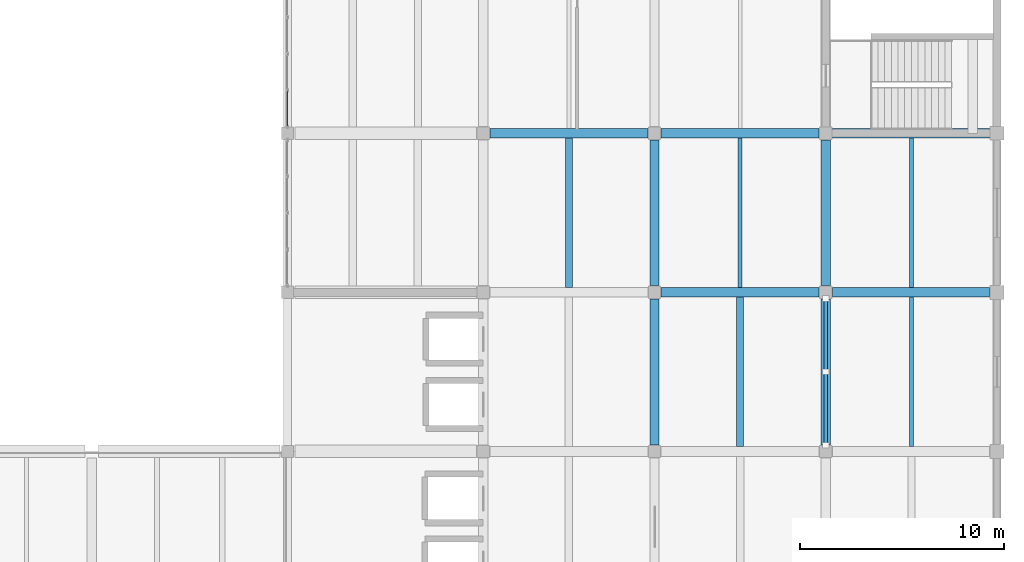
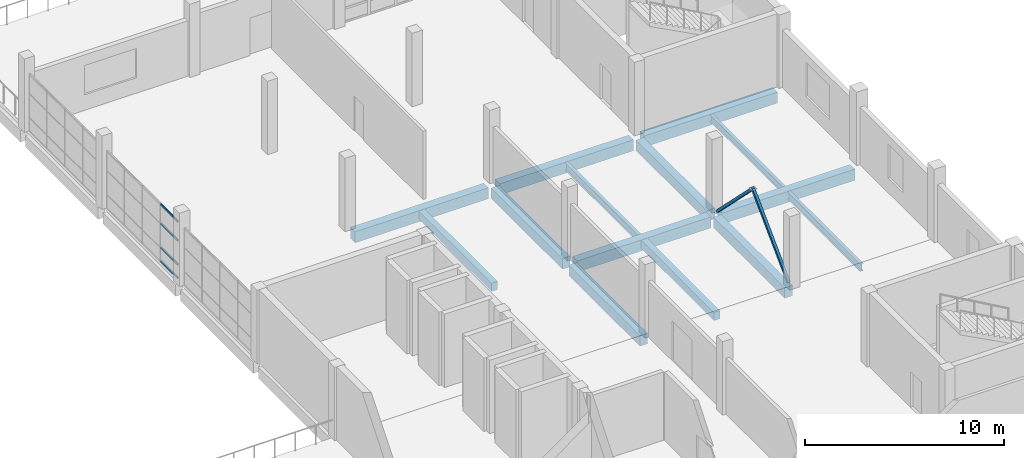
# One storey, part 26 of 71: 14 beams, 6 members, 1 element without a shape of its own.
"""IFC4 building model written with IfcOpenShell, lengths in metres."""

from ifc_helpers import new_model, si_unit, direction, frame, origin, origin_2d, place, context, subcontext, project, spatial, rectangle, hollow_rectangle, i_section, extrude, material, material_profile, profile_set, type_object, element, aggregate, save


model = new_model("IFC4")

# Units and contexts
model_context = context("Model", 3, precision=1e-05, world=origin(), true_north=direction((0.0, 1.0)))
body_context = subcontext(model_context, "Body", "Model", "MODEL_VIEW")
ifc_project = project(units=[si_unit("LENGTHUNIT", "METRE"), si_unit("AREAUNIT", "SQUARE_METRE"), si_unit("VOLUMEUNIT", "CUBIC_METRE"), si_unit("PLANEANGLEUNIT", "RADIAN"), si_unit("MASSUNIT", "GRAM", prefix="KILO")], contexts=[model_context])

# Site, building, storey
site_placement = place(None, origin())
site = spatial("IfcSite", under=ifc_project, at=site_placement, CompositionType="ELEMENT")
building_placement = place(site_placement, origin())
building = spatial("IfcBuilding", under=site, at=building_placement, Name="Pellamere Symphony Hall", CompositionType="ELEMENT")
storey_placement = place(building_placement, frame((0.0, 0.0, 15.0)))
storey = spatial("IfcBuildingStorey", under=building, at=storey_placement, Name="L03", CompositionType="ELEMENT", Elevation=15.0)

# Curtain wall, members
ifc_material_1 = material(Name="Thermally Broken Anodised Aluminium 6063-T6 Curtain Wall", Category="aluminium")
curtain_wall_type = type_object("IfcCurtainWallType", Name="Curtain Wall CW-05 (Artists Wing North Studio Ribbon Curtain Wall)", PredefinedType="NOTDEFINED", material=ifc_material_1)
curtain_wall_placement = place(storey_placement, origin())
curtain_wall = element("IfcCurtainWall", 1, at=curtain_wall_placement, inside=storey, type_object=curtain_wall_type, Name="Sculpture Court East Wing Curtain Wall (L03 Bay 2)", PredefinedType="NOTDEFINED")
ifc_material_2 = material(Name="Anodised Architectural Aluminium 6063-T6", Category="aluminium")
ifc_material_profile_1 = material_profile(ifc_material_2, hollow_rectangle(XDim=0.06005859375, YDim=0.1201171875, WallThickness=0.00390625, at=origin_2d()), Name="ALU-T60X120X4")
ifc_profile_set_1 = profile_set([ifc_material_profile_1], Name="Anodised Architectural Aluminium 6063-T6")
member_type_1 = type_object("IfcMemberType", Name="Curtain Wall Transom TR-03 ALU-T60X120X4", PredefinedType="USERDEFINED", material=ifc_profile_set_1)
member_1_placement = place(storey_placement, frame((138.0, 69.9599609375, 0.030029296875), z_axis=(0.0, 1.0, 0.0), x_axis=(-1.0, 0.0, 0.0)))
member_1 = element("IfcMember", 2, at=member_1_placement, type_object=member_type_1, Name="CW5-143 crystal transom 1.1", ObjectType="TRANSOM", PredefinedType="USERDEFINED", context=body_context, shape_type="SweptSolid", body=[
    extrude(hollow_rectangle(XDim=0.06005859375, YDim=0.1201171875, WallThickness=0.00390625, at=origin_2d()), origin(), (0.0, 0.0, 1.0), 1.7099609375),
])
member_2_placement = place(storey_placement, frame((138.0, 69.9599609375, 0.8447265625), z_axis=(0.0, 1.0, 0.0), x_axis=(-1.0, 0.0, 0.0)))
member_2 = element("IfcMember", 3, at=member_2_placement, type_object=member_type_1, Name="CW5-143 crystal transom 1.2", ObjectType="TRANSOM", PredefinedType="USERDEFINED", context=body_context, shape_type="SweptSolid", body=[
    extrude(hollow_rectangle(XDim=0.06005859375, YDim=0.1201171875, WallThickness=0.00390625, at=origin_2d()), origin(), (0.0, 0.0, 1.0), 1.7099609375),
])
member_3_placement = place(storey_placement, frame((138.0, 69.9599609375, 2.3232421875), z_axis=(0.0, 1.0, 0.0), x_axis=(-1.0, 0.0, 0.0)))
member_3 = element("IfcMember", 4, at=member_3_placement, type_object=member_type_1, Name="CW5-143 crystal transom 1.3", ObjectType="TRANSOM", PredefinedType="USERDEFINED", context=body_context, shape_type="SweptSolid", body=[
    extrude(hollow_rectangle(XDim=0.06005859375, YDim=0.1201171875, WallThickness=0.00390625, at=origin_2d()), origin(), (0.0, 0.0, 1.0), 1.7099609375),
])
member_4_placement = place(storey_placement, frame((138.0, 69.9599609375, 3.489990234375), z_axis=(0.0, 1.0, 0.0), x_axis=(-1.0, 0.0, 0.0)))
member_4 = element("IfcMember", 5, at=member_4_placement, type_object=member_type_1, Name="CW5-143 crystal transom 1.4", ObjectType="TRANSOM", PredefinedType="USERDEFINED", context=body_context, shape_type="SweptSolid", body=[
    extrude(hollow_rectangle(XDim=0.06005859375, YDim=0.1201171875, WallThickness=0.00390625, at=origin_2d()), origin(), (0.0, 0.0, 1.0), 1.7099609375),
])
aggregate(curtain_wall, [member_1, member_2, member_3, member_4])

# Beams
ifc_material_3 = material(Name="Concrete 40 MPa", Category="concrete")
ifc_material_profile_2 = material_profile(ifc_material_3, rectangle(XDim=0.449951171875, YDim=0.64990234375, at=origin_2d()), Name="RC 450x650")
ifc_profile_set_2 = profile_set([ifc_material_profile_2], Name="Concrete 40 MPa")
beam_type_1 = type_object("IfcBeamType", Name="RC CB-08 450x650", PredefinedType="BEAM", material=ifc_profile_set_2)
beam_1_placement = place(storey_placement, frame((156.0, 54.324951171875, -0.5849609375), z_axis=(0.0, 1.0, 0.0), x_axis=(-1.0, 0.0, 0.0)))
element("IfcBeam", 6, at=beam_1_placement, inside=storey, type_object=beam_type_1, Name="Girder CB-08-Y1692 (L03)", PredefinedType="BEAM", context=body_context, shape_type="SweptSolid", body=[
    extrude(rectangle(XDim=0.449951171875, YDim=0.64990234375, at=origin_2d()), origin(), (0.0, 0.0, 1.0), 7.150146484375),
])
beam_2_placement = place(storey_placement, frame((156.0, 62.125, -0.5849609375), z_axis=(0.0, 1.0, 0.0), x_axis=(-1.0, 0.0, 0.0)))
element("IfcBeam", 7, at=beam_2_placement, inside=storey, type_object=beam_type_1, Name="Girder CB-08-Y1693 (L03)", PredefinedType="BEAM", context=body_context, shape_type="SweptSolid", body=[
    extrude(rectangle(XDim=0.449951171875, YDim=0.64990234375, at=origin_2d()), origin(), (0.0, 0.0, 1.0), 7.14990234375),
])
beam_3_placement = place(storey_placement, frame((164.39990234375, 54.324951171875, -0.5849609375), z_axis=(0.0, 1.0, 0.0), x_axis=(-1.0, 0.0, 0.0)))
element("IfcBeam", 8, at=beam_3_placement, inside=storey, type_object=beam_type_1, Name="Girder CB-08-Y1701 (L03)", PredefinedType="BEAM", context=body_context, shape_type="SweptSolid", body=[
    extrude(rectangle(XDim=0.449951171875, YDim=0.64990234375, at=origin_2d()), origin(), (0.0, 0.0, 1.0), 7.150146484375),
])
beam_4_placement = place(storey_placement, frame((164.39990234375, 62.125, -0.5849609375), z_axis=(0.0, 1.0, 0.0), x_axis=(-1.0, 0.0, 0.0)))
element("IfcBeam", 9, at=beam_4_placement, inside=storey, type_object=beam_type_1, Name="Girder CB-08-Y1702 (L03)", PredefinedType="BEAM", context=body_context, shape_type="SweptSolid", body=[
    extrude(rectangle(XDim=0.449951171875, YDim=0.64990234375, at=origin_2d()), origin(), (0.0, 0.0, 1.0), 7.14990234375),
])
ifc_material_4 = material(Name="Concrete 35 MPa", Category="concrete")
ifc_material_profile_3 = material_profile(ifc_material_4, rectangle(XDim=0.35009765625, YDim=0.5, at=origin_2d()), Name="RC 350x500")
ifc_profile_set_3 = profile_set([ifc_material_profile_3], Name="Concrete 35 MPa")
beam_type_2 = type_object("IfcBeamType", Name="RC CB-11 350x500", PredefinedType="BEAM", material=ifc_profile_set_3)
for number, where, z_axis, x_axis, name in (
    (10, (151.800048828125, 62.0400390625, -0.52490234375), (0.0, 1.0, 0.0), (-1.0, 0.0, 0.0), "Secondary Floor Beam CB-11-M1808 (L03)"),
    (11, (160.199951171875, 54.239990234375, -0.52490234375), (0.0, 1.0, 0.0), (-1.0, 0.0, 0.0), "Secondary Floor Beam CB-11-M1907 (L03)"),
):
    element("IfcBeam", number, at=place(storey_placement, frame(where, z_axis=z_axis, x_axis=x_axis)), inside=storey, type_object=beam_type_2, Name=name, PredefinedType="BEAM", context=body_context, shape_type="SweptSolid", body=[
        extrude(rectangle(XDim=0.35009765625, YDim=0.5, at=origin_2d()), origin(), (0.0, 0.0, 1.0), 7.320068359375),
    ])
ifc_material_profile_4 = material_profile(ifc_material_3, rectangle(XDim=0.47998046875, YDim=0.679931640625, at=origin_2d()), Name="RC 480x680")
ifc_profile_set_4 = profile_set([ifc_material_profile_4], Name="Concrete 40 MPa")
beam_type_3 = type_object("IfcBeamType", Name="RC CB-19 480x680", PredefinedType="BEAM", material=ifc_profile_set_4)
beam_5_placement = place(storey_placement, frame((156.324951171875, 61.800048828125, -0.60009765625), z_axis=(1.0, 0.0, 0.0), x_axis=(0.0, 1.0, 0.0)))
element("IfcBeam", 12, at=beam_5_placement, inside=storey, type_object=beam_type_3, Name="Girder CB-19-X1563 (L03)", PredefinedType="BEAM", context=body_context, shape_type="SweptSolid", body=[
    extrude(rectangle(XDim=0.47998046875, YDim=0.679931640625, at=origin_2d()), origin(), (0.0, 0.0, 1.0), 7.75),
])
beam_6_placement = place(storey_placement, frame((164.72509765625, 61.800048828125, -0.60009765625), z_axis=(1.0, 0.0, 0.0), x_axis=(0.0, 1.0, 0.0)))
element("IfcBeam", 13, at=beam_6_placement, inside=storey, type_object=beam_type_3, Name="Girder CB-19-X1564 (L03)", PredefinedType="BEAM", context=body_context, shape_type="SweptSolid", body=[
    extrude(rectangle(XDim=0.47998046875, YDim=0.679931640625, at=origin_2d()), origin(), (0.0, 0.0, 1.0), 7.71484375),
])
for number, where, z_axis, x_axis, name in (
    (14, (147.925048828125, 69.60009765625, -0.60009765625), (1.0, 0.0, 0.0), (0.0, 1.0, 0.0), "Girder CB-19-X1568 (L03)"),
    (15, (156.324951171875, 69.60009765625, -0.60009765625), (1.0, 0.0, 0.0), (0.0, 1.0, 0.0), "Girder CB-19-X1569 (L03)"),
):
    element("IfcBeam", number, at=place(storey_placement, frame(where, z_axis=z_axis, x_axis=x_axis)), inside=storey, type_object=beam_type_3, Name=name, PredefinedType="BEAM", context=body_context, shape_type="SweptSolid", body=[
        extrude(rectangle(XDim=0.47998046875, YDim=0.679931640625, at=origin_2d()), origin(), (0.0, 0.0, 1.0), 7.75),
    ])
beam_7_placement = place(storey_placement, frame((164.72509765625, 69.60009765625, -0.60009765625), z_axis=(1.0, 0.0, 0.0), x_axis=(0.0, 1.0, 0.0)))
element("IfcBeam", 16, at=beam_7_placement, inside=storey, type_object=beam_type_3, Name="Girder CB-19-X1570 (L03)", PredefinedType="BEAM", context=body_context, shape_type="SweptSolid", body=[
    extrude(rectangle(XDim=0.47998046875, YDim=0.679931640625, at=origin_2d()), origin(), (0.0, 0.0, 1.0), 7.71484375),
])
ifc_material_5 = material(Name="Steel CSA G40.21 350W", Category="steel")
ifc_material_profile_5 = material_profile(ifc_material_5, i_section(OverallWidth=0.19091796875, OverallDepth=0.4599609375, WebThickness=0.010009765625, FlangeThickness=0.014404296875, at=origin_2d()), Name="W460X82")
ifc_profile_set_5 = profile_set([ifc_material_profile_5], Name="Steel CSA G40.21 350W")
beam_type_4 = type_object("IfcBeamType", Name="Steel Joist SB-17 W460X82", PredefinedType="JOIST", material=ifc_profile_set_5)
for number, where, z_axis, x_axis, name in (
    (17, (160.199951171875, 62.0400390625, -0.5048828125), (0.0, 1.0, 0.0), (-1.0, 0.0, 0.0), "Secondary Floor Beam SB-17-M1908 (L03)"),
    (18, (168.60009765625, 54.239990234375, -0.5048828125), (0.0, 1.0, 0.0), (-1.0, 0.0, 0.0), "Secondary Floor Beam SB-17-M2007 (L03)"),
):
    element("IfcBeam", number, at=place(storey_placement, frame(where, z_axis=z_axis, x_axis=x_axis)), inside=storey, type_object=beam_type_4, Name=name, PredefinedType="JOIST", context=body_context, shape_type="SweptSolid", body=[
        extrude(i_section(OverallWidth=0.19091796875, OverallDepth=0.4599609375, WebThickness=0.010009765625, FlangeThickness=0.014404296875, at=origin_2d()), origin(), (0.0, 0.0, 1.0), 7.320068359375),
    ])
ifc_material_profile_6 = material_profile(ifc_material_5, i_section(OverallWidth=0.179931640625, OverallDepth=0.4130859375, WebThickness=0.009765625, FlangeThickness=0.01513671875, at=origin_2d()), Name="W410X74")
ifc_profile_set_6 = profile_set([ifc_material_profile_6], Name="Steel CSA G40.21 350W")
beam_type_5 = type_object("IfcBeamType", Name="Steel Joist SB-19 W410X74", PredefinedType="JOIST", material=ifc_profile_set_6)
beam_8_placement = place(storey_placement, frame((168.60009765625, 62.0400390625, -0.4814453125), z_axis=(0.0, 1.0, 0.0), x_axis=(-1.0, 0.0, 0.0)))
element("IfcBeam", 19, at=beam_8_placement, inside=storey, type_object=beam_type_5, Name="Secondary Floor Beam SB-19-M2008 (L03)", PredefinedType="JOIST", context=body_context, shape_type="SweptSolid", body=[
    extrude(i_section(OverallWidth=0.179931640625, OverallDepth=0.4130859375, WebThickness=0.009765625, FlangeThickness=0.01513671875, at=origin_2d()), origin(), (0.0, 0.0, 1.0), 7.320068359375),
])

# Members
ifc_material_profile_7 = material_profile(ifc_material_5, hollow_rectangle(XDim=0.15234375, YDim=0.15234375, WallThickness=0.009521484375, at=origin_2d()), Name="HSS152X152X10")
ifc_profile_set_7 = profile_set([ifc_material_profile_7], Name="Steel CSA G40.21 350W")
member_type_2 = type_object("IfcMemberType", Name="Steel Member SM-06 HSS152X152X10", PredefinedType="BRACE", material=ifc_profile_set_7)
member_5_placement = place(storey_placement, frame((164.39990234375, 54.300048828125, 0.0), z_axis=(0.0, 0.708066544747, 0.706145713157), x_axis=(-1.0, 0.0, 0.0)))
element("IfcMember", 20, at=member_5_placement, inside=storey, type_object=member_type_2, Name="Interior Frame Chevron Brace 05A (L03)", PredefinedType="BRACE", context=body_context, shape_type="SweptSolid", body=[
    extrude(hollow_rectangle(XDim=0.15234375, YDim=0.15234375, WallThickness=0.009521484375, at=origin_2d()), origin(), (0.0, 0.0, 1.0), 5.083984375),
])
member_6_placement = place(storey_placement, frame((164.39990234375, 61.5, 0.0), z_axis=(0.0, -0.708090488697, 0.706121703261), x_axis=(1.0, 0.0, 0.0)))
element("IfcMember", 21, at=member_6_placement, inside=storey, type_object=member_type_2, Name="Interior Frame Chevron Brace 05B (L03)", PredefinedType="BRACE", context=body_context, shape_type="SweptSolid", body=[
    extrude(hollow_rectangle(XDim=0.15234375, YDim=0.15234375, WallThickness=0.009521484375, at=origin_2d()), origin(), (0.0, 0.0, 1.0), 5.084228515625),
])

save(model, "model.ifc")
